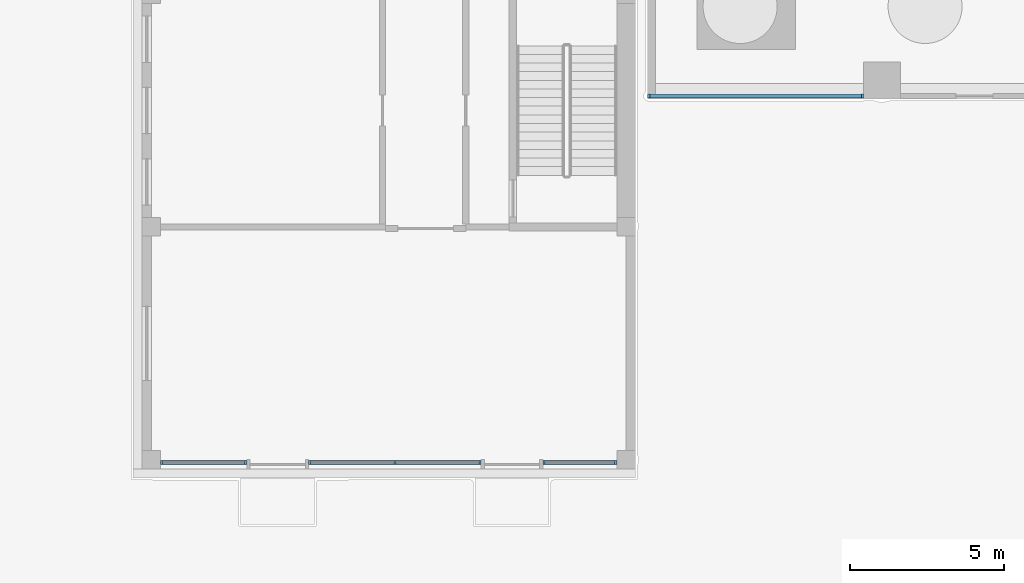
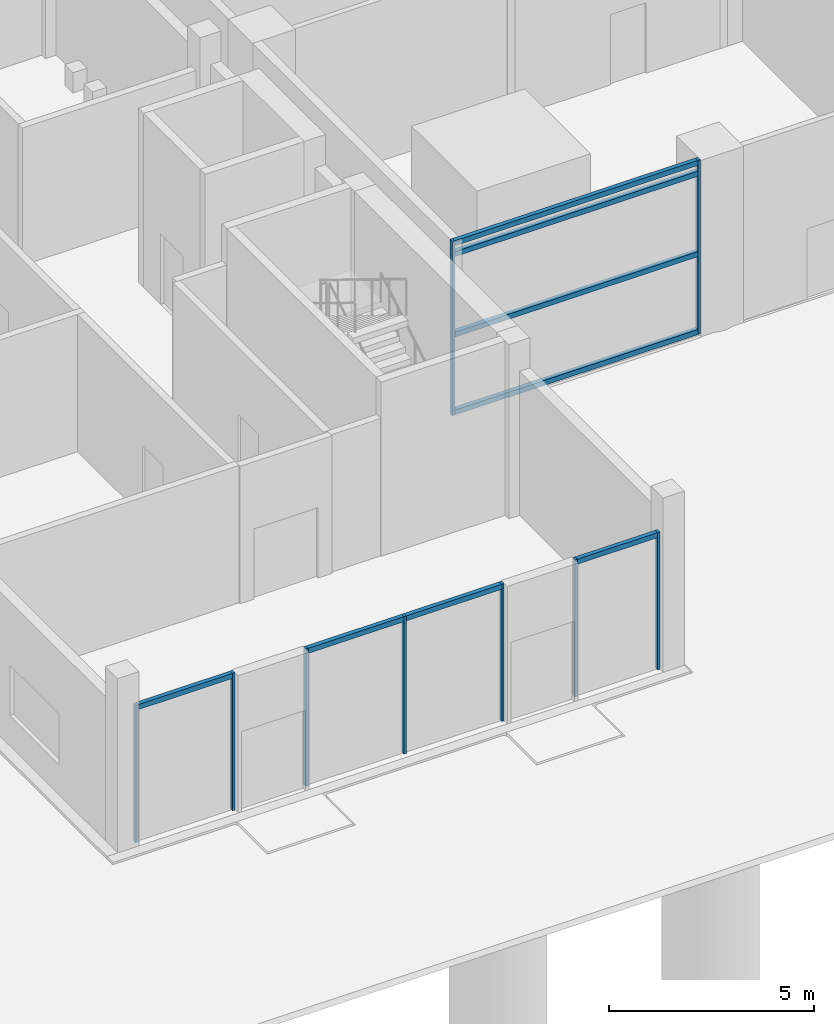
# One storey, part 3 of 33: 17 members, 4 elements without a shape of their own.
"""IFC4 building model written with IfcOpenShell, lengths in metres."""

from ifc_helpers import new_model, si_unit, direction, frame, origin, origin_2d, place, context, subcontext, project, spatial, rectangle, extrude, material, material_profile, profile_set, type_object, element, aggregate, save


model = new_model("IFC4")

# Units and contexts
model_context = context("Model", 3, precision=1e-05, world=origin(), true_north=direction((0.0, 1.0)))
body_context = subcontext(model_context, "Body", "Model", "MODEL_VIEW")
ifc_project = project(units=[si_unit("LENGTHUNIT", "METRE"), si_unit("AREAUNIT", "SQUARE_METRE"), si_unit("VOLUMEUNIT", "CUBIC_METRE"), si_unit("PLANEANGLEUNIT", "RADIAN"), si_unit("MASSUNIT", "GRAM", prefix="KILO")], contexts=[model_context])

# Site, building, storey
site_placement = place(None, origin())
site = spatial("IfcSite", under=ifc_project, at=site_placement, CompositionType="ELEMENT")
building_placement = place(site_placement, origin())
building = spatial("IfcBuilding", under=site, at=building_placement, Name="Amberfall Residences", CompositionType="ELEMENT")
storey_placement = place(building_placement, origin())
storey = spatial("IfcBuildingStorey", under=building, at=storey_placement, Name="L00", CompositionType="ELEMENT", Elevation=0.0)

# Curtain wall, members
ifc_material_1 = material(Name="Bronze anodised aluminium and glass", Category="aluminium")
curtain_wall_type = type_object("IfcCurtainWallType", Name="Curtain wall CW4 podium storefront", PredefinedType="USERDEFINED", material=ifc_material_1)
curtain_wall_1_placement = place(storey_placement, origin())
curtain_wall_1 = element("IfcCurtainWall", 1, at=curtain_wall_1_placement, inside=storey, type_object=curtain_wall_type, Name="Storefront L00 S1", ObjectType="UNITISED CURTAIN WALL", PredefinedType="USERDEFINED")
ifc_material_2 = material(Name="Bronze anodised aluminium", Category="aluminium")
ifc_material_profile_1 = material_profile(ifc_material_2, rectangle(XDim=0.1201171875, YDim=0.070068359375, at=origin_2d()), Name="CW4 mullion 70 x 120 bronze")
ifc_profile_set_1 = profile_set([ifc_material_profile_1], Name="Bronze anodised aluminium")
member_type_1 = type_object("IfcMemberType", Name="CW4 mullion 70 x 120 bronze", PredefinedType="MULLION", material=ifc_profile_set_1)
member_1_placement = place(storey_placement, frame((52.034912109375, 20.10009765625, 0.0), z_axis=(0.0, 0.0, 1.0), x_axis=(0.0, 1.0, 0.0)))
member_1 = element("IfcMember", 2, at=member_1_placement, type_object=member_type_1, Name="CW4 mullion 1", PredefinedType="MULLION", context=body_context, shape_type="SweptSolid", body=[
    extrude(rectangle(XDim=0.1201171875, YDim=0.070068359375, at=origin_2d()), origin(), (0.0, 0.0, 1.0), 5.199951171875),
])
member_2_placement = place(storey_placement, frame((58.965087890625, 20.10009765625, 0.0), z_axis=(0.0, 0.0, 1.0), x_axis=(0.0, 1.0, 0.0)))
member_2 = element("IfcMember", 3, at=member_2_placement, type_object=member_type_1, Name="CW4 mullion 2", PredefinedType="MULLION", context=body_context, shape_type="SweptSolid", body=[
    extrude(rectangle(XDim=0.1201171875, YDim=0.070068359375, at=origin_2d()), origin(), (0.0, 0.0, 1.0), 5.199951171875),
])

curtain_wall_2_placement = place(storey_placement, origin())
curtain_wall_2 = element("IfcCurtainWall", 4, at=curtain_wall_2_placement, inside=storey, type_object=curtain_wall_type, Name="School entrance glazing 1", ObjectType="UNITISED CURTAIN WALL", PredefinedType="USERDEFINED")
member_3_placement = place(storey_placement, frame((36.235107421875, 8.2099609375, 0.0), z_axis=(0.0, 0.0, 1.0), x_axis=(0.0, 1.0, 0.0)))
member_3 = element("IfcMember", 5, at=member_3_placement, type_object=member_type_1, Name="CW4 mullion 1", PredefinedType="MULLION", context=body_context, shape_type="SweptSolid", body=[
    extrude(rectangle(XDim=0.1201171875, YDim=0.070068359375, at=origin_2d()), origin(), (0.0, 0.0, 1.0), 4.10009765625),
])
member_4_placement = place(storey_placement, frame((38.965087890625, 8.2099609375, 0.0), z_axis=(0.0, 0.0, 1.0), x_axis=(0.0, 1.0, 0.0)))
member_4 = element("IfcMember", 6, at=member_4_placement, type_object=member_type_1, Name="CW4 mullion 2", PredefinedType="MULLION", context=body_context, shape_type="SweptSolid", body=[
    extrude(rectangle(XDim=0.1201171875, YDim=0.070068359375, at=origin_2d()), origin(), (0.0, 0.0, 1.0), 4.10009765625),
])

curtain_wall_3_placement = place(storey_placement, origin())
curtain_wall_3 = element("IfcCurtainWall", 7, at=curtain_wall_3_placement, inside=storey, type_object=curtain_wall_type, Name="School entrance glazing 2", ObjectType="UNITISED CURTAIN WALL", PredefinedType="USERDEFINED")
member_5_placement = place(storey_placement, frame((41.034912109375, 8.2099609375, 0.0), z_axis=(0.0, 0.0, 1.0), x_axis=(0.0, 1.0, 0.0)))
member_5 = element("IfcMember", 8, at=member_5_placement, type_object=member_type_1, Name="CW4 mullion 1", PredefinedType="MULLION", context=body_context, shape_type="SweptSolid", body=[
    extrude(rectangle(XDim=0.1201171875, YDim=0.070068359375, at=origin_2d()), origin(), (0.0, 0.0, 1.0), 4.10009765625),
])
member_6_placement = place(storey_placement, frame((43.800048828125, 8.2099609375, 0.0), z_axis=(0.0, 0.0, 1.0), x_axis=(0.0, 1.0, 0.0)))
member_6 = element("IfcMember", 9, at=member_6_placement, type_object=member_type_1, Name="CW4 mullion 2", PredefinedType="MULLION", context=body_context, shape_type="SweptSolid", body=[
    extrude(rectangle(XDim=0.1201171875, YDim=0.070068359375, at=origin_2d()), origin(), (0.0, 0.0, 1.0), 4.10009765625),
])
member_7_placement = place(storey_placement, frame((46.56494140625, 8.2099609375, 0.0), z_axis=(0.0, 0.0, 1.0), x_axis=(0.0, 1.0, 0.0)))
member_7 = element("IfcMember", 10, at=member_7_placement, type_object=member_type_1, Name="CW4 mullion 3", PredefinedType="MULLION", context=body_context, shape_type="SweptSolid", body=[
    extrude(rectangle(XDim=0.1201171875, YDim=0.070068359375, at=origin_2d()), origin(), (0.0, 0.0, 1.0), 4.10009765625),
])

curtain_wall_4_placement = place(storey_placement, origin())
curtain_wall_4 = element("IfcCurtainWall", 11, at=curtain_wall_4_placement, inside=storey, type_object=curtain_wall_type, Name="School entrance glazing 3", ObjectType="UNITISED CURTAIN WALL", PredefinedType="USERDEFINED")
member_8_placement = place(storey_placement, frame((48.635009765625, 8.2099609375, 0.0), z_axis=(0.0, 0.0, 1.0), x_axis=(0.0, 1.0, 0.0)))
member_8 = element("IfcMember", 12, at=member_8_placement, type_object=member_type_1, Name="CW4 mullion 1", PredefinedType="MULLION", context=body_context, shape_type="SweptSolid", body=[
    extrude(rectangle(XDim=0.1201171875, YDim=0.070068359375, at=origin_2d()), origin(), (0.0, 0.0, 1.0), 4.10009765625),
])
member_9_placement = place(storey_placement, frame((50.965087890625, 8.2099609375, 0.0), z_axis=(0.0, 0.0, 1.0), x_axis=(0.0, 1.0, 0.0)))
member_9 = element("IfcMember", 13, at=member_9_placement, type_object=member_type_1, Name="CW4 mullion 2", PredefinedType="MULLION", context=body_context, shape_type="SweptSolid", body=[
    extrude(rectangle(XDim=0.1201171875, YDim=0.070068359375, at=origin_2d()), origin(), (0.0, 0.0, 1.0), 4.10009765625),
])

# Member
ifc_material_profile_2 = material_profile(ifc_material_2, rectangle(XDim=0.1201171875, YDim=0.14990234375, at=origin_2d()), Name="CW4 transom 120 x 150 bronze")
ifc_profile_set_2 = profile_set([ifc_material_profile_2], Name="Bronze anodised aluminium")
member_type_2 = type_object("IfcMemberType", Name="CW4 transom 120 x 150 bronze", PredefinedType="USERDEFINED", material=ifc_profile_set_2)
member_10_placement = place(storey_placement, frame((52.070068359375, 20.10009765625, 0.074951171875), z_axis=(1.0, 0.0, 0.0), x_axis=(0.0, 1.0, 0.0)))
member_10 = element("IfcMember", 14, at=member_10_placement, type_object=member_type_2, Name="CW4 transom 1.1", ObjectType="TRANSOM", PredefinedType="USERDEFINED", context=body_context, shape_type="SweptSolid", body=[
    extrude(rectangle(XDim=0.1201171875, YDim=0.14990234375, at=origin_2d()), origin(), (0.0, 0.0, 1.0), 6.85986328125),
])

member_11_placement = place(storey_placement, frame((52.070068359375, 20.10009765625, 2.39990234375), z_axis=(1.0, 0.0, 0.0), x_axis=(0.0, 1.0, 0.0)))
member_11 = element("IfcMember", 15, at=member_11_placement, type_object=member_type_2, Name="CW4 transom 1.2", ObjectType="TRANSOM", PredefinedType="USERDEFINED", context=body_context, shape_type="SweptSolid", body=[
    extrude(rectangle(XDim=0.1201171875, YDim=0.14990234375, at=origin_2d()), origin(), (0.0, 0.0, 1.0), 6.85986328125),
])

member_12_placement = place(storey_placement, frame((52.070068359375, 20.10009765625, 4.800048828125), z_axis=(1.0, 0.0, 0.0), x_axis=(0.0, 1.0, 0.0)))
member_12 = element("IfcMember", 16, at=member_12_placement, type_object=member_type_2, Name="CW4 transom 1.3", ObjectType="TRANSOM", PredefinedType="USERDEFINED", context=body_context, shape_type="SweptSolid", body=[
    extrude(rectangle(XDim=0.1201171875, YDim=0.14990234375, at=origin_2d()), origin(), (0.0, 0.0, 1.0), 6.85986328125),
])

member_13_placement = place(storey_placement, frame((52.070068359375, 20.10009765625, 5.125), z_axis=(1.0, 0.0, 0.0), x_axis=(0.0, 1.0, 0.0)))
member_13 = element("IfcMember", 17, at=member_13_placement, type_object=member_type_2, Name="CW4 transom 1.4", ObjectType="TRANSOM", PredefinedType="USERDEFINED", context=body_context, shape_type="SweptSolid", body=[
    extrude(rectangle(XDim=0.1201171875, YDim=0.14990234375, at=origin_2d()), origin(), (0.0, 0.0, 1.0), 6.85986328125),
])

aggregate(curtain_wall_1, [member_1, member_2, member_10, member_11, member_12, member_13])

member_14_placement = place(storey_placement, frame((36.27001953125, 8.2099609375, 4.02490234375), z_axis=(1.0, 0.0, 0.0), x_axis=(0.0, 1.0, 0.0)))
member_14 = element("IfcMember", 18, at=member_14_placement, type_object=member_type_2, Name="CW4 transom 1.1", ObjectType="TRANSOM", PredefinedType="USERDEFINED", context=body_context, shape_type="SweptSolid", body=[
    extrude(rectangle(XDim=0.1201171875, YDim=0.14990234375, at=origin_2d()), origin(), (0.0, 0.0, 1.0), 2.659912109375),
])

aggregate(curtain_wall_2, [member_3, member_4, member_14])

member_15_placement = place(storey_placement, frame((41.070068359375, 8.2099609375, 4.02490234375), z_axis=(1.0, 0.0, 0.0), x_axis=(0.0, 1.0, 0.0)))
member_15 = element("IfcMember", 19, at=member_15_placement, type_object=member_type_2, Name="CW4 transom 1.1", ObjectType="TRANSOM", PredefinedType="USERDEFINED", context=body_context, shape_type="SweptSolid", body=[
    extrude(rectangle(XDim=0.1201171875, YDim=0.14990234375, at=origin_2d()), origin(), (0.0, 0.0, 1.0), 2.69482421875),
])

member_16_placement = place(storey_placement, frame((43.8349609375, 8.2099609375, 4.02490234375), z_axis=(1.0, 0.0, 0.0), x_axis=(0.0, 1.0, 0.0)))
member_16 = element("IfcMember", 20, at=member_16_placement, type_object=member_type_2, Name="CW4 transom 2.1", ObjectType="TRANSOM", PredefinedType="USERDEFINED", context=body_context, shape_type="SweptSolid", body=[
    extrude(rectangle(XDim=0.1201171875, YDim=0.14990234375, at=origin_2d()), origin(), (0.0, 0.0, 1.0), 2.695068359375),
])

aggregate(curtain_wall_3, [member_5, member_6, member_7, member_15, member_16])

member_17_placement = place(storey_placement, frame((48.669921875, 8.2099609375, 4.02490234375), z_axis=(1.0, 0.0, 0.0), x_axis=(0.0, 1.0, 0.0)))
member_17 = element("IfcMember", 21, at=member_17_placement, type_object=member_type_2, Name="CW4 transom 1.1", ObjectType="TRANSOM", PredefinedType="USERDEFINED", context=body_context, shape_type="SweptSolid", body=[
    extrude(rectangle(XDim=0.1201171875, YDim=0.14990234375, at=origin_2d()), origin(), (0.0, 0.0, 1.0), 2.260009765625),
])

aggregate(curtain_wall_4, [member_8, member_9, member_17])

save(model, "model.ifc")
